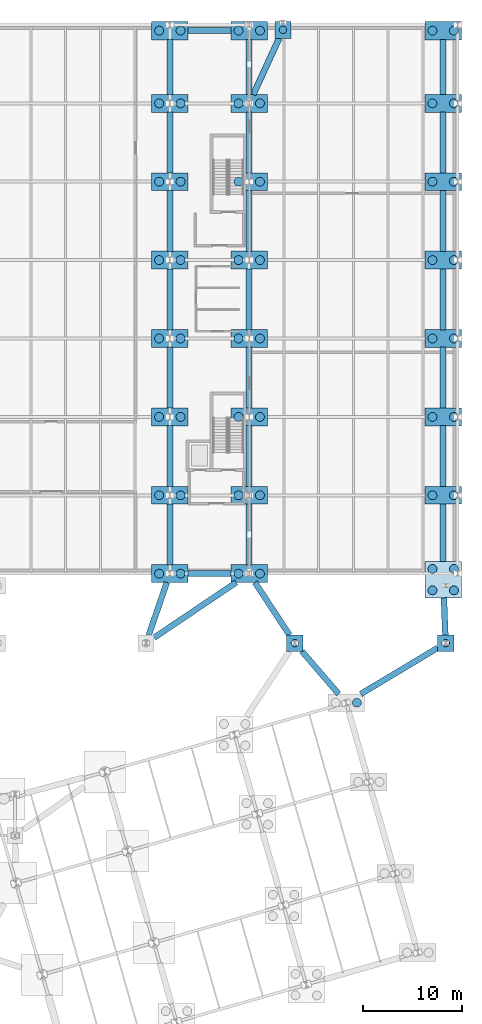
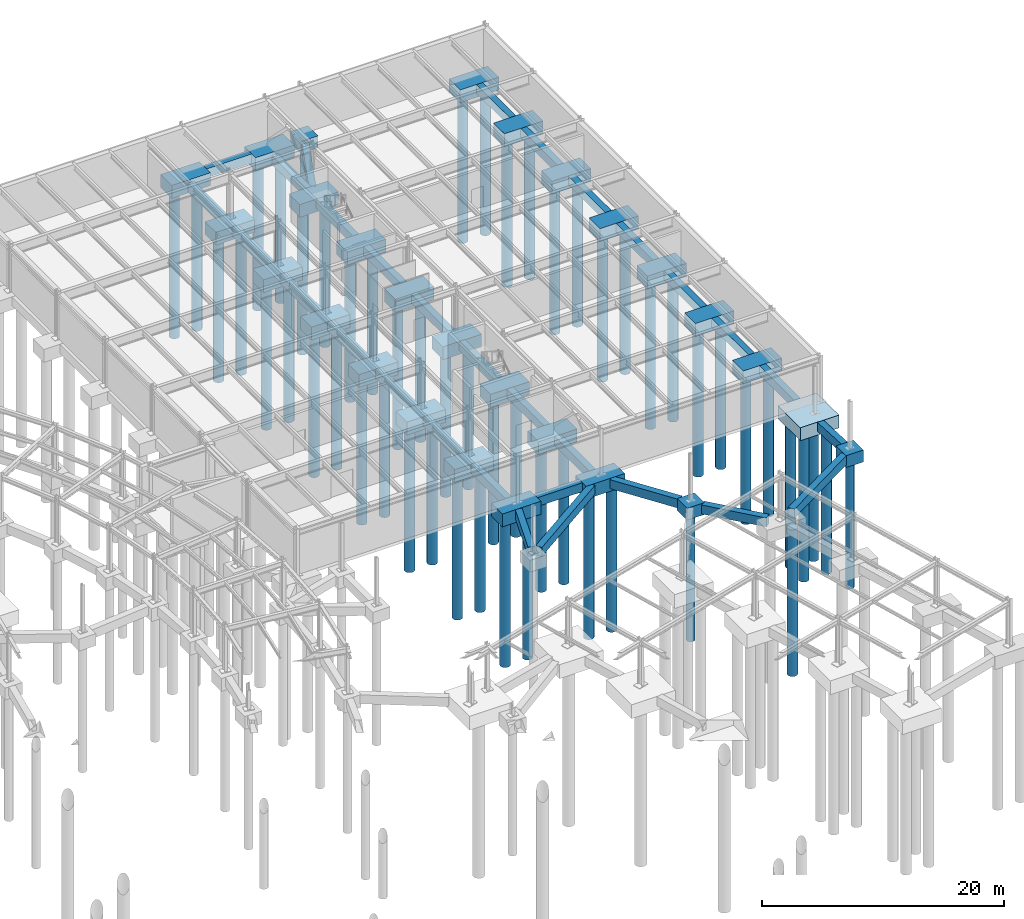
# One storey, part 9 of 50: 57 footings, 54 piles.
"""IFC4 building model written with IfcOpenShell, lengths in metres."""

from ifc_helpers import new_model, si_unit, direction, frame, origin, origin_2d, place, context, subcontext, project, spatial, rectangle, circle, extrude, material, material_profile, profile_set, type_object, element, save


model = new_model("IFC4")

# Units and contexts
model_context = context("Model", 3, precision=1e-05, world=origin(), true_north=direction((0.0, 1.0)))
body_context = subcontext(model_context, "Body", "Model", "MODEL_VIEW")
ifc_project = project(units=[si_unit("LENGTHUNIT", "METRE"), si_unit("AREAUNIT", "SQUARE_METRE"), si_unit("VOLUMEUNIT", "CUBIC_METRE"), si_unit("PLANEANGLEUNIT", "RADIAN"), si_unit("MASSUNIT", "GRAM", prefix="KILO")], contexts=[model_context])

# Site, building, storey
site_placement = place(None, origin())
site = spatial("IfcSite", under=ifc_project, at=site_placement, CompositionType="ELEMENT")
building_placement = place(site_placement, origin())
building = spatial("IfcBuilding", under=site, at=building_placement, Name="Varnklinge Art Gallery", CompositionType="ELEMENT")
storey_placement = place(building_placement, frame((0.0, 0.0, -4.800048828125)))
storey = spatial("IfcBuildingStorey", under=building, at=storey_placement, Name="B01", CompositionType="ELEMENT", Elevation=-4.800048828125)

# Footings
ifc_material_1 = material(Name="Concrete C35/45", Category="concrete")
footing_type_1 = type_object("IfcFootingType", Name="FB-16", PredefinedType="FOOTING_BEAM", material=ifc_material_1)
for number, where, z_axis, x_axis, name in (
    (1, (139.39990234375, 58.199951171875, -0.89990234375), (0.0, 0.0, 1.0), (-1.0, 0.0, 0.0), "B01 Ground Tie Beam FBM-147"),
    (2, (139.39990234375, 112.925048828125, -0.89990234375), (0.0, 0.0, 1.0), (1.0, 0.0, 0.0), "B01 Ground Tie Beam FBM-263"),
):
    element("IfcFooting", number, at=place(storey_placement, frame(where, z_axis=z_axis, x_axis=x_axis)), inside=storey, type_object=footing_type_1, Name=name, PredefinedType="FOOTING_BEAM", context=body_context, shape_type="SweptSolid", body=[
        extrude(rectangle(XDim=4.340087890625, YDim=0.60009765625, at=origin_2d()), origin(), (0.0, 0.0, 1.0), 0.89990234375),
    ])
ifc_material_2 = material(Name="Concrete C35/45", Category="concrete")
footing_type_2 = type_object("IfcFootingType", Name="FB-17", PredefinedType="FOOTING_BEAM", material=ifc_material_2)
footing_1_placement = place(storey_placement, frame((150.55419921875, 48.2333984375, -0.89990234375), z_axis=(0.0, 0.0, 1.0), x_axis=(-0.652495272634, 0.757792794364, 0.0)))
element("IfcFooting", 3, at=footing_1_placement, inside=storey, type_object=footing_type_2, Name="B01 Ground Tie Beam FBM-114", PredefinedType="FOOTING_BEAM", context=body_context, shape_type="SweptSolid", body=[
    extrude(rectangle(XDim=5.70458984375, YDim=0.60009765625, at=origin_2d()), origin(), (0.0, 0.0, 1.0), 0.89990234375),
])
footing_2_placement = place(storey_placement, frame((162.949951171875, 62.324951171875, -0.89990234375), z_axis=(0.0, 0.0, 1.0), x_axis=(0.0, 1.0, 0.0)))
element("IfcFooting", 4, at=footing_2_placement, inside=storey, type_object=footing_type_2, Name="B01 Ground Tie Beam FBM-149", PredefinedType="FOOTING_BEAM", context=body_context, shape_type="SweptSolid", body=[
    extrude(rectangle(XDim=5.7900390625, YDim=0.60009765625, at=origin_2d()), origin(), (0.0, 0.0, 1.0), 0.89990234375),
])
ifc_material_3 = material(Name="Concrete C35/45", Category="concrete")
footing_type_3 = type_object("IfcFootingType", Name="FB-19", PredefinedType="FOOTING_BEAM", material=ifc_material_3)
footing_3_placement = place(storey_placement, frame((163.094970703125, 53.887451171875, -0.89990234375), z_axis=(0.0, 0.0, 1.0), x_axis=(0.039085416795, -0.999235873152, 0.0)))
element("IfcFooting", 5, at=footing_3_placement, inside=storey, type_object=footing_type_3, Name="B01 Ground Tie Beam FBM-148", PredefinedType="FOOTING_BEAM", context=body_context, shape_type="SweptSolid", body=[
    extrude(rectangle(XDim=3.767822265625, YDim=0.60009765625, at=origin_2d()), origin(), (0.0, 0.0, 1.0), 0.89990234375),
])
ifc_material_4 = material(Name="Concrete C35/45", Category="concrete")
footing_type_4 = type_object("IfcFootingType", Name="FB-21", PredefinedType="FOOTING_BEAM", material=ifc_material_4)
footing_4_placement = place(storey_placement, frame((145.724609375, 54.66259765625, -0.89990234375), z_axis=(0.0, 0.0, 1.0), x_axis=(-0.549168685539, 0.83571152608, 0.0)))
element("IfcFooting", 6, at=footing_4_placement, inside=storey, type_object=footing_type_4, Name="B01 Ground Tie Beam FBM-269", PredefinedType="FOOTING_BEAM", context=body_context, shape_type="SweptSolid", body=[
    extrude(rectangle(XDim=6.35986328125, YDim=0.60009765625, at=origin_2d()), origin(), (0.0, 0.0, 1.0), 0.89990234375),
])
ifc_material_5 = material(Name="Concrete C35/45", Category="concrete")
footing_type_5 = type_object("IfcFootingType", Name="FB-36", PredefinedType="FOOTING_BEAM", material=ifc_material_5)
for number, where, z_axis, x_axis, name in (
    (7, (135.39990234375, 62.14990234375, -1.199951171875), (0.0, 0.0, 1.0), (0.0, 1.0, 0.0), "B01 Ground Tie Beam FBM-145"),
    (8, (143.39990234375, 62.14990234375, -1.199951171875), (0.0, 0.0, 1.0), (0.0, 1.0, 0.0), "B01 Ground Tie Beam FBM-146"),
    (9, (135.39990234375, 70.050048828125, -1.199951171875), (0.0, 0.0, 1.0), (0.0, 1.0, 0.0), "B01 Ground Tie Beam FBM-167"),
    (10, (143.39990234375, 70.050048828125, -1.199951171875), (0.0, 0.0, 1.0), (0.0, 1.0, 0.0), "B01 Ground Tie Beam FBM-168"),
    (11, (162.949951171875, 70.050048828125, -0.89990234375), (0.0, 0.0, 1.0), (0.0, 1.0, 0.0), "B01 Ground Tie Beam FBM-169"),
    (12, (135.39990234375, 77.949951171875, -1.199951171875), (0.0, 0.0, 1.0), (0.0, 1.0, 0.0), "B01 Ground Tie Beam FBM-183"),
    (13, (143.39990234375, 77.949951171875, -1.199951171875), (0.0, 0.0, 1.0), (0.0, 1.0, 0.0), "B01 Ground Tie Beam FBM-184"),
    (14, (162.949951171875, 77.949951171875, -0.89990234375), (0.0, 0.0, 1.0), (0.0, 1.0, 0.0), "B01 Ground Tie Beam FBM-185"),
    (15, (135.39990234375, 85.85009765625, -1.199951171875), (0.0, 0.0, 1.0), (0.0, 1.0, 0.0), "B01 Ground Tie Beam FBM-207"),
    (16, (143.39990234375, 85.85009765625, -1.199951171875), (0.0, 0.0, 1.0), (0.0, 1.0, 0.0), "B01 Ground Tie Beam FBM-208"),
    (17, (162.949951171875, 85.85009765625, -0.89990234375), (0.0, 0.0, 1.0), (0.0, 1.0, 0.0), "B01 Ground Tie Beam FBM-209"),
    (18, (135.39990234375, 93.75, -1.199951171875), (0.0, 0.0, 1.0), (0.0, 1.0, 0.0), "B01 Ground Tie Beam FBM-234"),
    (19, (143.39990234375, 93.75, -1.199951171875), (0.0, 0.0, 1.0), (0.0, 1.0, 0.0), "B01 Ground Tie Beam FBM-235"),
    (20, (162.949951171875, 93.75, -0.89990234375), (0.0, 0.0, 1.0), (0.0, 1.0, 0.0), "B01 Ground Tie Beam FBM-236"),
    (21, (135.39990234375, 101.64990234375, -1.199951171875), (0.0, 0.0, 1.0), (0.0, 1.0, 0.0), "B01 Ground Tie Beam FBM-250"),
    (22, (143.39990234375, 101.64990234375, -1.199951171875), (0.0, 0.0, 1.0), (0.0, 1.0, 0.0), "B01 Ground Tie Beam FBM-251"),
    (23, (162.949951171875, 101.64990234375, -0.89990234375), (0.0, 0.0, 1.0), (0.0, 1.0, 0.0), "B01 Ground Tie Beam FBM-252"),
):
    element("IfcFooting", number, at=place(storey_placement, frame(where, z_axis=z_axis, x_axis=x_axis)), inside=storey, type_object=footing_type_5, Name=name, PredefinedType="FOOTING_BEAM", context=body_context, shape_type="SweptSolid", body=[
        extrude(rectangle(XDim=6.139892578125, YDim=0.60009765625, at=origin_2d()), origin(), (0.0, 0.0, 1.0), 0.89990234375),
    ])
footing_5_placement = place(storey_placement, frame((145.111572265625, 109.324951171875, -1.199951171875), z_axis=(0.0, 0.0, 1.0), x_axis=(-0.41754991917, -0.9086539853, 0.0)))
element("IfcFooting", 24, at=footing_5_placement, inside=storey, type_object=footing_type_5, Name="B01 Ground Tie Beam FBM-276", PredefinedType="FOOTING_BEAM", context=body_context, shape_type="SweptSolid", body=[
    extrude(rectangle(XDim=6.261962890625, YDim=0.60009765625, at=origin_2d()), origin(), (0.0, 0.0, 1.0), 0.89990234375),
])
ifc_material_6 = material(Name="Concrete C35/45", Category="concrete")
footing_type_6 = type_object("IfcFootingType", Name="FB-39", PredefinedType="FOOTING_BEAM", material=ifc_material_6)
footing_6_placement = place(storey_placement, frame((158.518310546875, 48.394775390625, -0.89990234375), z_axis=(0.0, 0.0, 1.0), x_axis=(-0.857795898543, -0.513990463377, 0.0)))
element("IfcFooting", 25, at=footing_6_placement, inside=storey, type_object=footing_type_6, Name="B01 Ground Tie Beam FBM-270", PredefinedType="FOOTING_BEAM", context=body_context, shape_type="SweptSolid", body=[
    extrude(rectangle(XDim=9.03857421875, YDim=0.60009765625, at=origin_2d()), origin(), (0.0, 0.0, 1.0), 0.89990234375),
])
ifc_material_7 = material(Name="Concrete C35/45", Category="concrete")
footing_type_7 = type_object("IfcFootingType", Name="FB-40", PredefinedType="FOOTING_BEAM", material=ifc_material_7)
footing_7_placement = place(storey_placement, frame((134.18701171875, 54.66259765625, -0.89990234375), z_axis=(0.0, 0.0, 1.0), x_axis=(-0.324247644548, -0.945972232682, 0.0)))
element("IfcFooting", 26, at=footing_7_placement, inside=storey, type_object=footing_type_7, Name="B01 Ground Tie Beam FBM-144", PredefinedType="FOOTING_BEAM", context=body_context, shape_type="SweptSolid", body=[
    extrude(rectangle(XDim=5.61865234375, YDim=0.60009765625, at=origin_2d()), origin(), (0.0, 0.0, 1.0), 0.89990234375),
])
for number, where, z_axis, x_axis, name in (
    (27, (135.39990234375, 109.25, -1.199951171875), (0.0, 0.0, 1.0), (0.0, 1.0, 0.0), "B01 Ground Tie Beam FBM-259"),
    (28, (143.39990234375, 109.25, -1.199951171875), (0.0, 0.0, 1.0), (0.0, 1.0, 0.0), "B01 Ground Tie Beam FBM-260"),
    (29, (162.949951171875, 109.25, -0.89990234375), (0.0, 0.0, 1.0), (0.0, 1.0, 0.0), "B01 Ground Tie Beam FBM-261"),
):
    element("IfcFooting", number, at=place(storey_placement, frame(where, z_axis=z_axis, x_axis=x_axis)), inside=storey, type_object=footing_type_7, Name=name, PredefinedType="FOOTING_BEAM", context=body_context, shape_type="SweptSolid", body=[
        extrude(rectangle(XDim=5.5400390625, YDim=0.60009765625, at=origin_2d()), origin(), (0.0, 0.0, 1.0), 0.89990234375),
    ])
ifc_material_8 = material(Name="Concrete C35/45", Category="concrete")
footing_type_8 = type_object("IfcFootingType", Name="FB-44", PredefinedType="FOOTING_BEAM", material=ifc_material_8)
footing_8_placement = place(storey_placement, frame((137.94873046875, 54.531005859375, -0.89990234375), z_axis=(0.0, 0.0, 1.0), x_axis=(0.829622703317, 0.558324430902, 0.0)))
element("IfcFooting", 30, at=footing_8_placement, inside=storey, type_object=footing_type_8, Name="B01 Ground Tie Beam FBM-268", PredefinedType="FOOTING_BEAM", context=body_context, shape_type="SweptSolid", body=[
    extrude(rectangle(XDim=9.989990234375, YDim=0.60009765625, at=origin_2d()), origin(), (0.0, 0.0, 1.0), 0.89990234375),
])
ifc_material_9 = material(Name="Concrete C35/45", Category="concrete")
footing_type_9 = type_object("IfcFootingType", Name="PC-03", PredefinedType="PILE_CAP", material=ifc_material_9)
for number, where, z_axis, x_axis, name in (
    (31, (148.0, 51.199951171875, -1.19970703125), (0.0, 0.0, 1.0), (1.0, 0.0, 0.0), "B01 Pile Cap FCAP-230"),
    (32, (163.199951171875, 51.199951171875, -1.19970703125), (0.0, 0.0, 1.0), (1.0, 0.0, 0.0), "B01 Pile Cap FCAP-231"),
):
    element("IfcFooting", number, at=place(storey_placement, frame(where, z_axis=z_axis, x_axis=x_axis)), inside=storey, type_object=footing_type_9, Name=name, PredefinedType="PILE_CAP", context=body_context, shape_type="SweptSolid", body=[
        extrude(rectangle(XDim=1.64990234375, YDim=1.64990234375, at=origin_2d()), origin(), (0.0, 0.0, 1.0), 1.199951171875),
    ])
ifc_material_10 = material(Name="Concrete C35/45", Category="concrete")
footing_type_10 = type_object("IfcFootingType", Name="PC-06", PredefinedType="PILE_CAP", material=ifc_material_10)
for number, where, z_axis, x_axis, name in (
    (33, (135.39990234375, 58.199951171875, -1.2998046875), (0.0, 0.0, 1.0), (1.0, 0.0, 0.0), "B01 Pile Cap FCAP-113"),
    (34, (143.39990234375, 58.199951171875, -1.2998046875), (0.0, 0.0, 1.0), (1.0, 0.0, 0.0), "B01 Pile Cap FCAP-114"),
    (35, (135.39990234375, 66.10009765625, -1.60009765625), (0.0, 0.0, 1.0), (1.0, 0.0, 0.0), "B01 Pile Cap FCAP-132"),
    (36, (143.39990234375, 66.10009765625, -1.60009765625), (0.0, 0.0, 1.0), (1.0, 0.0, 0.0), "B01 Pile Cap FCAP-133"),
    (37, (162.949951171875, 66.10009765625, -1.2998046875), (0.0, 0.0, 1.0), (1.0, 0.0, 0.0), "B01 Pile Cap FCAP-134"),
    (38, (135.39990234375, 74.0, -1.60009765625), (0.0, 0.0, 1.0), (1.0, 0.0, 0.0), "B01 Pile Cap FCAP-147"),
    (39, (143.39990234375, 74.0, -1.60009765625), (0.0, 0.0, 1.0), (1.0, 0.0, 0.0), "B01 Pile Cap FCAP-148"),
    (40, (162.949951171875, 74.0, -1.2998046875), (0.0, 0.0, 1.0), (1.0, 0.0, 0.0), "B01 Pile Cap FCAP-149"),
    (41, (135.39990234375, 81.89990234375, -1.60009765625), (0.0, 0.0, 1.0), (1.0, 0.0, 0.0), "B01 Pile Cap FCAP-166"),
    (42, (143.39990234375, 81.89990234375, -1.60009765625), (0.0, 0.0, 1.0), (1.0, 0.0, 0.0), "B01 Pile Cap FCAP-167"),
    (43, (162.949951171875, 81.89990234375, -1.2998046875), (0.0, 0.0, 1.0), (1.0, 0.0, 0.0), "B01 Pile Cap FCAP-168"),
    (44, (135.39990234375, 89.800048828125, -1.60009765625), (0.0, 0.0, 1.0), (1.0, 0.0, 0.0), "B01 Pile Cap FCAP-190"),
    (45, (143.39990234375, 89.800048828125, -1.60009765625), (0.0, 0.0, 1.0), (1.0, 0.0, 0.0), "B01 Pile Cap FCAP-191"),
    (46, (162.949951171875, 89.800048828125, -1.2998046875), (0.0, 0.0, 1.0), (1.0, 0.0, 0.0), "B01 Pile Cap FCAP-192"),
    (47, (135.39990234375, 97.699951171875, -1.60009765625), (0.0, 0.0, 1.0), (1.0, 0.0, 0.0), "B01 Pile Cap FCAP-207"),
    (48, (143.39990234375, 97.699951171875, -1.60009765625), (0.0, 0.0, 1.0), (1.0, 0.0, 0.0), "B01 Pile Cap FCAP-208"),
    (49, (162.949951171875, 97.699951171875, -1.2998046875), (0.0, 0.0, 1.0), (1.0, 0.0, 0.0), "B01 Pile Cap FCAP-209"),
    (50, (135.39990234375, 105.60009765625, -1.60009765625), (0.0, 0.0, 1.0), (1.0, 0.0, 0.0), "B01 Pile Cap FCAP-217"),
    (51, (143.39990234375, 105.60009765625, -1.60009765625), (0.0, 0.0, 1.0), (1.0, 0.0, 0.0), "B01 Pile Cap FCAP-218"),
    (52, (162.949951171875, 105.60009765625, -1.2998046875), (0.0, 0.0, 1.0), (1.0, 0.0, 0.0), "B01 Pile Cap FCAP-219"),
):
    element("IfcFooting", number, at=place(storey_placement, frame(where, z_axis=z_axis, x_axis=x_axis)), inside=storey, type_object=footing_type_10, Name=name, PredefinedType="PILE_CAP", context=body_context, shape_type="SweptSolid", body=[
        extrude(rectangle(XDim=3.699951171875, YDim=1.800048828125, at=origin_2d()), origin(), (0.0, 0.0, 1.0), 1.300048828125),
    ])
ifc_material_11 = material(Name="Concrete C35/45", Category="concrete")
footing_type_11 = type_object("IfcFootingType", Name="PC-12", PredefinedType="PILE_CAP", material=ifc_material_11)
footing_9_placement = place(storey_placement, frame((162.949951171875, 57.60009765625, -1.2998046875), z_axis=(0.0, 0.0, 1.0), x_axis=(1.0, 0.0, 0.0)))
element("IfcFooting", 53, at=footing_9_placement, inside=storey, type_object=footing_type_11, Name="B01 Pile Cap FCAP-115", PredefinedType="PILE_CAP", context=body_context, shape_type="SweptSolid", body=[
    extrude(rectangle(XDim=3.699951171875, YDim=3.699951171875, at=origin_2d()), origin(), (0.0, 0.0, 1.0), 1.300048828125),
])
ifc_material_12 = material(Name="Concrete C35/45", Category="concrete")
footing_type_12 = type_object("IfcFootingType", Name="PC-15", PredefinedType="PILE_CAP", material=ifc_material_12)
for number, where, z_axis, x_axis, name in (
    (54, (135.39990234375, 112.925048828125, -1.2998046875), (0.0, 0.0, 1.0), (1.0, 0.0, 0.0), "B01 Pile Cap FCAP-222"),
    (55, (143.39990234375, 112.925048828125, -1.2998046875), (0.0, 0.0, 1.0), (1.0, 0.0, 0.0), "B01 Pile Cap FCAP-223"),
    (56, (162.949951171875, 112.925048828125, -1.2998046875), (0.0, 0.0, 1.0), (1.0, 0.0, 0.0), "B01 Pile Cap FCAP-224"),
):
    element("IfcFooting", number, at=place(storey_placement, frame(where, z_axis=z_axis, x_axis=x_axis)), inside=storey, type_object=footing_type_12, Name=name, PredefinedType="PILE_CAP", context=body_context, shape_type="SweptSolid", body=[
        extrude(rectangle(XDim=3.699951171875, YDim=1.85009765625, at=origin_2d()), origin(), (0.0, 0.0, 1.0), 1.300048828125),
    ])
ifc_material_13 = material(Name="Concrete C35/45", Category="concrete")
footing_type_13 = type_object("IfcFootingType", Name="PC-16", PredefinedType="PILE_CAP", material=ifc_material_13)
footing_10_placement = place(storey_placement, frame((146.800048828125, 113.0, -1.19970703125), z_axis=(0.0, 0.0, 1.0), x_axis=(1.0, 0.0, 0.0)))
element("IfcFooting", 57, at=footing_10_placement, inside=storey, type_object=footing_type_13, Name="B01 Pile Cap FCAP-235", PredefinedType="PILE_CAP", context=body_context, shape_type="SweptSolid", body=[
    extrude(rectangle(XDim=1.64990234375, YDim=1.699951171875, at=origin_2d()), origin(), (0.0, 0.0, 1.0), 1.199951171875),
])

# Piles
ifc_material_14 = material(Name="Concrete C35/45", Category="concrete")
ifc_material_profile_1 = material_profile(ifc_material_14, circle(Radius=0.375, at=origin_2d()), Name="PILE D750")
ifc_profile_set_1 = profile_set([ifc_material_profile_1], Name="Concrete C35/45")
pile_type_1 = type_object("IfcPileType", Name="PIL-D750", PredefinedType="BORED", material=ifc_profile_set_1)
for number, where, z_axis, x_axis, name in (
    (58, (148.0, 51.199951171875, -1.099853515625), (0.0, 0.0, -1.0), (1.0, 0.0, 0.0), "B01 Bored Pile PILE-D750-407"),
    (59, (163.199951171875, 51.199951171875, -1.099853515625), (0.0, 0.0, -1.0), (1.0, 0.0, 0.0), "B01 Bored Pile PILE-D750-408"),
    (60, (146.800048828125, 113.0, -1.099853515625), (0.0, 0.0, -1.0), (1.0, 0.0, 0.0), "B01 Bored Pile PILE-D750-412"),
):
    element("IfcPile", number, at=place(storey_placement, frame(where, z_axis=z_axis, x_axis=x_axis)), inside=storey, type_object=pile_type_1, Name=name, PredefinedType="BORED", context=body_context, shape_type="SweptSolid", body=[
        extrude(circle(Radius=0.375, at=origin_2d()), origin(), (0.0, 0.0, 1.0), 12.89990234375),
    ])
ifc_material_15 = material(Name="Concrete C35/45", Category="concrete")
ifc_material_profile_2 = material_profile(ifc_material_15, circle(Radius=0.449951171875, at=origin_2d()), Name="PILE D900")
ifc_profile_set_2 = profile_set([ifc_material_profile_2], Name="Concrete C35/45")
pile_type_2 = type_object("IfcPileType", Name="PIL-D900", PredefinedType="BORED", material=ifc_profile_set_2)
for number, where, z_axis, x_axis, name in (
    (61, (154.2529296875, 45.19189453125, -1.199951171875), (0.0, 0.0, -1.0), (1.0, 0.0, 0.0), "B01 Bored Pile PILE-D900-133"),
    (62, (134.320068359375, 58.199951171875, -1.199951171875), (0.0, 0.0, -1.0), (1.0, 0.0, 0.0), "B01 Bored Pile PILE-D900-179"),
    (63, (136.47998046875, 58.199951171875, -1.199951171875), (0.0, 0.0, -1.0), (1.0, 0.0, 0.0), "B01 Bored Pile PILE-D900-180"),
    (64, (142.320068359375, 58.199951171875, -1.199951171875), (0.0, 0.0, -1.0), (1.0, 0.0, 0.0), "B01 Bored Pile PILE-D900-181"),
    (65, (144.47998046875, 58.199951171875, -1.199951171875), (0.0, 0.0, -1.0), (1.0, 0.0, 0.0), "B01 Bored Pile PILE-D900-182"),
    (66, (161.8701171875, 56.52001953125, -1.199951171875), (0.0, 0.0, -1.0), (1.0, 0.0, 0.0), "B01 Bored Pile PILE-D900-183"),
    (67, (161.8701171875, 58.679931640625, -1.199951171875), (0.0, 0.0, -1.0), (1.0, 0.0, 0.0), "B01 Bored Pile PILE-D900-184"),
    (68, (164.030029296875, 56.52001953125, -1.199951171875), (0.0, 0.0, -1.0), (1.0, 0.0, 0.0), "B01 Bored Pile PILE-D900-185"),
    (69, (164.030029296875, 58.679931640625, -1.199951171875), (0.0, 0.0, -1.0), (1.0, 0.0, 0.0), "B01 Bored Pile PILE-D900-186"),
):
    element("IfcPile", number, at=place(storey_placement, frame(where, z_axis=z_axis, x_axis=x_axis)), inside=storey, type_object=pile_type_2, Name=name, PredefinedType="BORED", context=body_context, shape_type="SweptSolid", body=[
        extrude(circle(Radius=0.449951171875, at=origin_2d()), origin(), (0.0, 0.0, 1.0), 14.800048828125),
    ])
for number, where, z_axis, x_axis, name in (
    (70, (134.320068359375, 66.10009765625, -1.5), (0.0, 0.0, -1.0), (1.0, 0.0, 0.0), "B01 Bored Pile PILE-D900-230"),
    (71, (136.47998046875, 66.10009765625, -1.5), (0.0, 0.0, -1.0), (1.0, 0.0, 0.0), "B01 Bored Pile PILE-D900-231"),
    (72, (142.320068359375, 66.10009765625, -1.5), (0.0, 0.0, -1.0), (1.0, 0.0, 0.0), "B01 Bored Pile PILE-D900-232"),
    (73, (144.47998046875, 66.10009765625, -1.5), (0.0, 0.0, -1.0), (1.0, 0.0, 0.0), "B01 Bored Pile PILE-D900-233"),
):
    element("IfcPile", number, at=place(storey_placement, frame(where, z_axis=z_axis, x_axis=x_axis)), inside=storey, type_object=pile_type_2, Name=name, PredefinedType="BORED", context=body_context, shape_type="SweptSolid", body=[
        extrude(circle(Radius=0.449951171875, at=origin_2d()), origin(), (0.0, 0.0, 1.0), 14.5),
    ])
for number, where, z_axis, x_axis, name in (
    (74, (161.8701171875, 66.10009765625, -1.199951171875), (0.0, 0.0, -1.0), (1.0, 0.0, 0.0), "B01 Bored Pile PILE-D900-234"),
    (75, (164.030029296875, 66.10009765625, -1.199951171875), (0.0, 0.0, -1.0), (1.0, 0.0, 0.0), "B01 Bored Pile PILE-D900-235"),
):
    element("IfcPile", number, at=place(storey_placement, frame(where, z_axis=z_axis, x_axis=x_axis)), inside=storey, type_object=pile_type_2, Name=name, PredefinedType="BORED", context=body_context, shape_type="SweptSolid", body=[
        extrude(circle(Radius=0.449951171875, at=origin_2d()), origin(), (0.0, 0.0, 1.0), 14.800048828125),
    ])
for number, where, z_axis, x_axis, name in (
    (76, (134.320068359375, 74.0, -1.5), (0.0, 0.0, -1.0), (1.0, 0.0, 0.0), "B01 Bored Pile PILE-D900-265"),
    (77, (136.47998046875, 74.0, -1.5), (0.0, 0.0, -1.0), (1.0, 0.0, 0.0), "B01 Bored Pile PILE-D900-266"),
    (78, (142.320068359375, 74.0, -1.5), (0.0, 0.0, -1.0), (1.0, 0.0, 0.0), "B01 Bored Pile PILE-D900-267"),
    (79, (144.47998046875, 74.0, -1.5), (0.0, 0.0, -1.0), (1.0, 0.0, 0.0), "B01 Bored Pile PILE-D900-268"),
):
    element("IfcPile", number, at=place(storey_placement, frame(where, z_axis=z_axis, x_axis=x_axis)), inside=storey, type_object=pile_type_2, Name=name, PredefinedType="BORED", context=body_context, shape_type="SweptSolid", body=[
        extrude(circle(Radius=0.449951171875, at=origin_2d()), origin(), (0.0, 0.0, 1.0), 14.5),
    ])
for number, where, z_axis, x_axis, name in (
    (80, (161.8701171875, 74.0, -1.199951171875), (0.0, 0.0, -1.0), (1.0, 0.0, 0.0), "B01 Bored Pile PILE-D900-269"),
    (81, (164.030029296875, 74.0, -1.199951171875), (0.0, 0.0, -1.0), (1.0, 0.0, 0.0), "B01 Bored Pile PILE-D900-270"),
):
    element("IfcPile", number, at=place(storey_placement, frame(where, z_axis=z_axis, x_axis=x_axis)), inside=storey, type_object=pile_type_2, Name=name, PredefinedType="BORED", context=body_context, shape_type="SweptSolid", body=[
        extrude(circle(Radius=0.449951171875, at=origin_2d()), origin(), (0.0, 0.0, 1.0), 14.800048828125),
    ])
for number, where, z_axis, x_axis, name in (
    (82, (134.320068359375, 81.89990234375, -1.5), (0.0, 0.0, -1.0), (1.0, 0.0, 0.0), "B01 Bored Pile PILE-D900-303"),
    (83, (136.47998046875, 81.89990234375, -1.5), (0.0, 0.0, -1.0), (1.0, 0.0, 0.0), "B01 Bored Pile PILE-D900-304"),
    (84, (142.320068359375, 81.89990234375, -1.5), (0.0, 0.0, -1.0), (1.0, 0.0, 0.0), "B01 Bored Pile PILE-D900-305"),
    (85, (144.47998046875, 81.89990234375, -1.5), (0.0, 0.0, -1.0), (1.0, 0.0, 0.0), "B01 Bored Pile PILE-D900-306"),
):
    element("IfcPile", number, at=place(storey_placement, frame(where, z_axis=z_axis, x_axis=x_axis)), inside=storey, type_object=pile_type_2, Name=name, PredefinedType="BORED", context=body_context, shape_type="SweptSolid", body=[
        extrude(circle(Radius=0.449951171875, at=origin_2d()), origin(), (0.0, 0.0, 1.0), 14.5),
    ])
for number, where, z_axis, x_axis, name in (
    (86, (161.8701171875, 81.89990234375, -1.199951171875), (0.0, 0.0, -1.0), (1.0, 0.0, 0.0), "B01 Bored Pile PILE-D900-307"),
    (87, (164.030029296875, 81.89990234375, -1.199951171875), (0.0, 0.0, -1.0), (1.0, 0.0, 0.0), "B01 Bored Pile PILE-D900-308"),
):
    element("IfcPile", number, at=place(storey_placement, frame(where, z_axis=z_axis, x_axis=x_axis)), inside=storey, type_object=pile_type_2, Name=name, PredefinedType="BORED", context=body_context, shape_type="SweptSolid", body=[
        extrude(circle(Radius=0.449951171875, at=origin_2d()), origin(), (0.0, 0.0, 1.0), 14.800048828125),
    ])
for number, where, z_axis, x_axis, name in (
    (88, (134.320068359375, 89.800048828125, -1.5), (0.0, 0.0, -1.0), (1.0, 0.0, 0.0), "B01 Bored Pile PILE-D900-341"),
    (89, (136.47998046875, 89.800048828125, -1.5), (0.0, 0.0, -1.0), (1.0, 0.0, 0.0), "B01 Bored Pile PILE-D900-342"),
    (90, (142.320068359375, 89.800048828125, -1.5), (0.0, 0.0, -1.0), (1.0, 0.0, 0.0), "B01 Bored Pile PILE-D900-343"),
    (91, (144.47998046875, 89.800048828125, -1.5), (0.0, 0.0, -1.0), (1.0, 0.0, 0.0), "B01 Bored Pile PILE-D900-344"),
):
    element("IfcPile", number, at=place(storey_placement, frame(where, z_axis=z_axis, x_axis=x_axis)), inside=storey, type_object=pile_type_2, Name=name, PredefinedType="BORED", context=body_context, shape_type="SweptSolid", body=[
        extrude(circle(Radius=0.449951171875, at=origin_2d()), origin(), (0.0, 0.0, 1.0), 14.5),
    ])
for number, where, z_axis, x_axis, name in (
    (92, (161.8701171875, 89.800048828125, -1.199951171875), (0.0, 0.0, -1.0), (1.0, 0.0, 0.0), "B01 Bored Pile PILE-D900-345"),
    (93, (164.030029296875, 89.800048828125, -1.199951171875), (0.0, 0.0, -1.0), (1.0, 0.0, 0.0), "B01 Bored Pile PILE-D900-346"),
):
    element("IfcPile", number, at=place(storey_placement, frame(where, z_axis=z_axis, x_axis=x_axis)), inside=storey, type_object=pile_type_2, Name=name, PredefinedType="BORED", context=body_context, shape_type="SweptSolid", body=[
        extrude(circle(Radius=0.449951171875, at=origin_2d()), origin(), (0.0, 0.0, 1.0), 14.800048828125),
    ])
for number, where, z_axis, x_axis, name in (
    (94, (134.320068359375, 97.699951171875, -1.5), (0.0, 0.0, -1.0), (1.0, 0.0, 0.0), "B01 Bored Pile PILE-D900-366"),
    (95, (136.47998046875, 97.699951171875, -1.5), (0.0, 0.0, -1.0), (1.0, 0.0, 0.0), "B01 Bored Pile PILE-D900-367"),
    (96, (142.320068359375, 97.699951171875, -1.5), (0.0, 0.0, -1.0), (1.0, 0.0, 0.0), "B01 Bored Pile PILE-D900-368"),
    (97, (144.47998046875, 97.699951171875, -1.5), (0.0, 0.0, -1.0), (1.0, 0.0, 0.0), "B01 Bored Pile PILE-D900-369"),
):
    element("IfcPile", number, at=place(storey_placement, frame(where, z_axis=z_axis, x_axis=x_axis)), inside=storey, type_object=pile_type_2, Name=name, PredefinedType="BORED", context=body_context, shape_type="SweptSolid", body=[
        extrude(circle(Radius=0.449951171875, at=origin_2d()), origin(), (0.0, 0.0, 1.0), 14.5),
    ])
for number, where, z_axis, x_axis, name in (
    (98, (161.8701171875, 97.699951171875, -1.199951171875), (0.0, 0.0, -1.0), (1.0, 0.0, 0.0), "B01 Bored Pile PILE-D900-370"),
    (99, (164.030029296875, 97.699951171875, -1.199951171875), (0.0, 0.0, -1.0), (1.0, 0.0, 0.0), "B01 Bored Pile PILE-D900-371"),
):
    element("IfcPile", number, at=place(storey_placement, frame(where, z_axis=z_axis, x_axis=x_axis)), inside=storey, type_object=pile_type_2, Name=name, PredefinedType="BORED", context=body_context, shape_type="SweptSolid", body=[
        extrude(circle(Radius=0.449951171875, at=origin_2d()), origin(), (0.0, 0.0, 1.0), 14.800048828125),
    ])
for number, where, z_axis, x_axis, name in (
    (100, (134.320068359375, 105.60009765625, -1.5), (0.0, 0.0, -1.0), (1.0, 0.0, 0.0), "B01 Bored Pile PILE-D900-386"),
    (101, (136.47998046875, 105.60009765625, -1.5), (0.0, 0.0, -1.0), (1.0, 0.0, 0.0), "B01 Bored Pile PILE-D900-387"),
    (102, (142.320068359375, 105.60009765625, -1.5), (0.0, 0.0, -1.0), (1.0, 0.0, 0.0), "B01 Bored Pile PILE-D900-388"),
    (103, (144.47998046875, 105.60009765625, -1.5), (0.0, 0.0, -1.0), (1.0, 0.0, 0.0), "B01 Bored Pile PILE-D900-389"),
):
    element("IfcPile", number, at=place(storey_placement, frame(where, z_axis=z_axis, x_axis=x_axis)), inside=storey, type_object=pile_type_2, Name=name, PredefinedType="BORED", context=body_context, shape_type="SweptSolid", body=[
        extrude(circle(Radius=0.449951171875, at=origin_2d()), origin(), (0.0, 0.0, 1.0), 14.5),
    ])
for number, where, z_axis, x_axis, name in (
    (104, (161.8701171875, 105.60009765625, -1.199951171875), (0.0, 0.0, -1.0), (1.0, 0.0, 0.0), "B01 Bored Pile PILE-D900-390"),
    (105, (164.030029296875, 105.60009765625, -1.199951171875), (0.0, 0.0, -1.0), (1.0, 0.0, 0.0), "B01 Bored Pile PILE-D900-391"),
    (106, (134.320068359375, 112.925048828125, -1.199951171875), (0.0, 0.0, -1.0), (1.0, 0.0, 0.0), "B01 Bored Pile PILE-D900-396"),
    (107, (136.47998046875, 112.925048828125, -1.199951171875), (0.0, 0.0, -1.0), (1.0, 0.0, 0.0), "B01 Bored Pile PILE-D900-397"),
    (108, (142.320068359375, 112.925048828125, -1.199951171875), (0.0, 0.0, -1.0), (1.0, 0.0, 0.0), "B01 Bored Pile PILE-D900-398"),
    (109, (144.47998046875, 112.925048828125, -1.199951171875), (0.0, 0.0, -1.0), (1.0, 0.0, 0.0), "B01 Bored Pile PILE-D900-399"),
    (110, (161.8701171875, 112.925048828125, -1.199951171875), (0.0, 0.0, -1.0), (1.0, 0.0, 0.0), "B01 Bored Pile PILE-D900-400"),
    (111, (164.030029296875, 112.925048828125, -1.199951171875), (0.0, 0.0, -1.0), (1.0, 0.0, 0.0), "B01 Bored Pile PILE-D900-401"),
):
    element("IfcPile", number, at=place(storey_placement, frame(where, z_axis=z_axis, x_axis=x_axis)), inside=storey, type_object=pile_type_2, Name=name, PredefinedType="BORED", context=body_context, shape_type="SweptSolid", body=[
        extrude(circle(Radius=0.449951171875, at=origin_2d()), origin(), (0.0, 0.0, 1.0), 14.800048828125),
    ])

save(model, "model.ifc")
